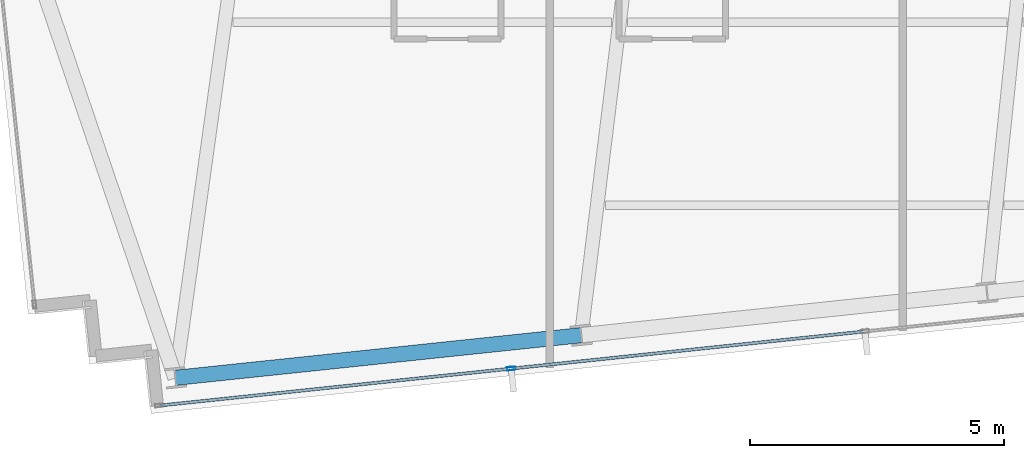
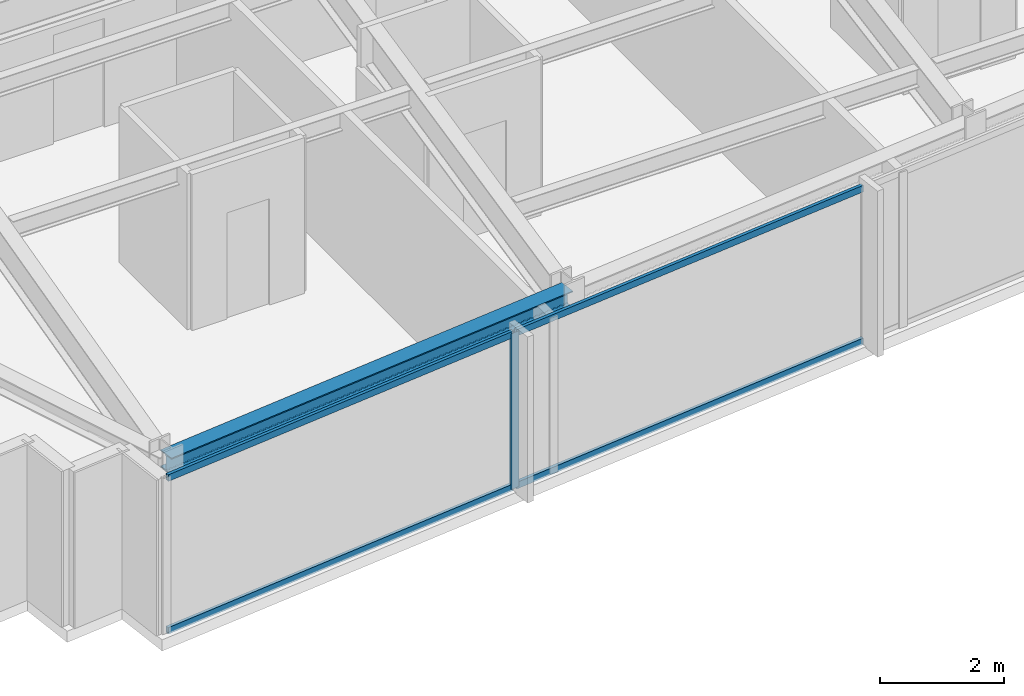
# One storey, part 3 of 33: 5 members, 1 beam, 1 element without a shape of its own.
"""IFC4 building model written with IfcOpenShell, lengths in metres."""

import ifcopenshell
import ifcopenshell.guid

model = None  # the IFC model being written
_history = None  # IfcOwnerHistory: only IFC2X3 demands one
_inside = {}  # id of a spatial element -> (the spatial element, [elements in it])
_under = {}  # id of a project, library or spatial element -> (it, [spatial elements below it])
_declared = {}  # id of a project -> (the project, [libraries it declares])
_typed = {}  # id of a type object -> (the type object, [elements of that type])
_made_of = {}  # id of a material, layer set ... -> (it, [elements and type objects made of it])


def new_model(schema):
    """Start an empty IFC model of exactly this schema.

    Asked for "IFC4X3", IfcOpenShell would pick the latest addendum, in which some entities
    have other attributes; the version numbers below select the first issue.
    IFC2X3 requires an IfcOwnerHistory on every rooted entity: one is made here for all.
    """
    global model, _history
    if schema == "IFC4X3":
        model = ifcopenshell.file(schema_version=(4, 3, 0, 0))
    else:
        model = ifcopenshell.file(schema=schema)
    _inside.clear()
    _under.clear()
    _declared.clear()
    _typed.clear()
    _made_of.clear()
    _history = None
    if model.schema == "IFC2X3":
        org = make("IfcOrganization", Name="unknown")
        user = make(
            "IfcPersonAndOrganization",
            ThePerson=make("IfcPerson", FamilyName="unknown"),
            TheOrganization=org,
        )
        app = make(
            "IfcApplication",
            ApplicationDeveloper=org,
            Version="unknown",
            ApplicationFullName="unknown",
            ApplicationIdentifier="unknown",
        )
        _history = make(
            "IfcOwnerHistory",
            OwningUser=user,
            OwningApplication=app,
            ChangeAction="ADDED",
            CreationDate=0,
        )
    return model


def make(cls, **values):
    """One entity of the class cls with the attributes given. An attribute that is None is left unset."""
    return model.create_entity(
        cls, **{name: value for name, value in values.items() if value is not None}
    )


def rooted(cls, **values):
    """An entity with a GlobalId (a new one), such as an element, a storey or a relation."""
    return make(cls, GlobalId=ifcopenshell.guid.new(), OwnerHistory=_history, **values)


def si_unit(unit_type, name, prefix=None):
    """IfcSIUnit, for example si_unit("LENGTHUNIT", "METRE", prefix="MILLI")."""
    return make("IfcSIUnit", UnitType=unit_type, Prefix=prefix, Name=name)


def assignment(units):
    """IfcUnitAssignment: the units of a project."""
    return None if units is None else make("IfcUnitAssignment", Units=units)


def point(xyz):
    """IfcCartesianPoint."""
    return None if xyz is None else make("IfcCartesianPoint", Coordinates=xyz)


def direction(xyz):
    """IfcDirection."""
    return None if xyz is None else make("IfcDirection", DirectionRatios=xyz)


def frame(location, z_axis=None, x_axis=None):
    """IfcAxis2Placement3D, a coordinate frame: its origin and axes. An axis left out is left unset."""
    return make(
        "IfcAxis2Placement3D",
        Location=point(location),
        Axis=direction(z_axis),
        RefDirection=direction(x_axis),
    )


def frame_2d(location, x_axis=None):
    """IfcAxis2Placement2D, a coordinate frame in the plane: its origin and x axis."""
    return make(
        "IfcAxis2Placement2D", Location=point(location), RefDirection=direction(x_axis)
    )


def origin():
    """The frame at (0, 0, 0) with its axes left unset."""
    return frame((0.0, 0.0, 0.0))


def origin_2d():
    """The frame at (0, 0) in the plane with its x axis left unset."""
    return frame_2d((0.0, 0.0))


def place(relative_to, where):
    """IfcLocalPlacement: puts the frame where relative to a parent placement (None: the world)."""
    return make(
        "IfcLocalPlacement", PlacementRelTo=relative_to, RelativePlacement=where
    )


def context(
    kind, dimensions, precision=None, world=None, true_north=None, identifier=None
):
    """IfcGeometricRepresentationContext, for example the 3D "Model" context."""
    return make(
        "IfcGeometricRepresentationContext",
        ContextIdentifier=identifier,
        ContextType=kind,
        CoordinateSpaceDimension=dimensions,
        Precision=precision,
        WorldCoordinateSystem=world,
        TrueNorth=true_north,
    )


def subcontext(parent, identifier, kind, view, scale=None):
    """IfcGeometricRepresentationSubContext, for example "Body" below "Model"."""
    return make(
        "IfcGeometricRepresentationSubContext",
        ContextIdentifier=identifier,
        ContextType=kind,
        ParentContext=parent,
        TargetScale=scale,
        TargetView=view,
    )


def project(units=None, contexts=None):
    """IfcProject with its units and contexts."""
    return rooted(
        "IfcProject",
        Name="project",
        RepresentationContexts=contexts,
        UnitsInContext=assignment(units),
    )


def spatial(cls, under=None, at=None, **own):
    """A site, building, storey or space (cls), placed at a placement, below another one or the project."""
    s = rooted(cls, ObjectPlacement=at, **own)
    if under is not None:
        _under.setdefault(under.id(), (under, []))[1].append(s)
    return s


def profile(cls, at=None, kind="AREA", **sizes):
    """A parametric profile (cls). Its sizes go by their IFC names, for example OverallWidth=200.0."""
    return make(cls, ProfileType=kind, Position=at, **sizes)


def hollow_rectangle(**sizes):
    """IfcRectangleHollowProfileDef."""
    return profile("IfcRectangleHollowProfileDef", **sizes)


def i_section(**sizes):
    """IfcIShapeProfileDef."""
    return profile("IfcIShapeProfileDef", **sizes)


def extrude(swept, where, along, depth):
    """IfcExtrudedAreaSolid: the profile swept, set in the frame where, extruded along a direction by depth."""
    return make(
        "IfcExtrudedAreaSolid",
        SweptArea=swept,
        Position=where,
        ExtrudedDirection=direction(along),
        Depth=depth,
    )


def shape(context_of_items, identifier, shape_type, items):
    """IfcShapeRepresentation: the items that make up one representation, for example the "Body"."""
    return make(
        "IfcShapeRepresentation",
        ContextOfItems=context_of_items,
        RepresentationIdentifier=identifier,
        RepresentationType=shape_type,
        Items=items,
    )


def material(Name=None, Category=None):
    """IfcMaterial."""
    return make("IfcMaterial", Name=Name, Category=Category)


def material_profile(
    of_material, cross_section, Name=None, Category=None, Priority=None
):
    """IfcMaterialProfile: a cross section and its material."""
    return make(
        "IfcMaterialProfile",
        Name=Name,
        Material=of_material,
        Profile=cross_section,
        Priority=Priority,
        Category=Category,
    )


def profile_set(profiles, Name=None, composite=None):
    """IfcMaterialProfileSet."""
    return make(
        "IfcMaterialProfileSet",
        Name=Name,
        MaterialProfiles=profiles,
        CompositeProfile=composite,
    )


def made_of(thing, what):
    """Note that an element or type object is made of a material, layer set ...; save() writes the relation."""
    if what is not None:
        _made_of.setdefault(what.id(), (what, []))[1].append(thing)
    return thing


def type_object(cls, material=None, **own):
    """A type object (cls), such as IfcWallType, which elements share."""
    return made_of(rooted(cls, **own), material)


def element(
    cls,
    number,
    at=None,
    inside=None,
    cuts=None,
    type_object=None,
    material=None,
    context=None,
    identifier="Body",
    shape_type=None,
    held_by="IfcProductDefinitionShape",
    body=None,
    shapes=None,
    **own,
):
    """One element of the class cls, such as IfcWall. Its Tag is "e" and its number.

    at: its placement. inside: the storey or other place that contains it. cuts: it is an
    opening in that element (IfcRelVoidsElement). A single representation is given by context,
    identifier, shape_type and body (its items); several are given by shapes. held_by: the class
    of the entity that holds the representations. save() writes the other relations.
    """
    e = rooted(cls, Tag="e%d" % number, ObjectPlacement=at, **own)
    if body is not None:
        shapes = [shape(context, identifier, shape_type, body)]
    if shapes is not None:
        e.Representation = make(held_by, Representations=shapes)
    if inside is not None:
        _inside.setdefault(inside.id(), (inside, []))[1].append(e)
    if cuts is not None:
        rooted(
            "IfcRelVoidsElement", RelatingBuildingElement=cuts, RelatedOpeningElement=e
        )
    if type_object is not None:
        _typed.setdefault(type_object.id(), (type_object, []))[1].append(e)
    return made_of(e, material)


def aggregate(whole, parts):
    """IfcRelAggregates: a whole, such as a stair, and the parts it consists of."""
    return rooted("IfcRelAggregates", RelatingObject=whole, RelatedObjects=parts)


def save(model, path):
    """Write the relations noted so far, then the file.

    IfcRelAggregates (storeys below a building ...), IfcRelContainedInSpatialStructure (elements
    in a storey), IfcRelDefinesByType, IfcRelAssociatesMaterial and IfcRelDeclares: one each for
    every whole, place, type object, material and project.
    """
    for whole, parts in _under.values():
        aggregate(whole, parts)
    for where, things in _inside.values():
        rooted(
            "IfcRelContainedInSpatialStructure",
            RelatedElements=things,
            RelatingStructure=where,
        )
    for kind, things in _typed.values():
        rooted("IfcRelDefinesByType", RelatedObjects=things, RelatingType=kind)
    for what, things in _made_of.values():
        rooted("IfcRelAssociatesMaterial", RelatedObjects=things, RelatingMaterial=what)
    for by, libraries in _declared.values():
        rooted("IfcRelDeclares", RelatingContext=by, RelatedDefinitions=libraries)
    model.write(path)


model = new_model("IFC4")

# Units and contexts
model_context = context("Model", 3, precision=1e-05, world=origin(), true_north=direction((0.0, 1.0)))
body_context = subcontext(model_context, "Body", "Model", "MODEL_VIEW")
ifc_project = project(units=[si_unit("LENGTHUNIT", "METRE"), si_unit("AREAUNIT", "SQUARE_METRE"), si_unit("VOLUMEUNIT", "CUBIC_METRE"), si_unit("PLANEANGLEUNIT", "RADIAN"), si_unit("MASSUNIT", "GRAM", prefix="KILO")], contexts=[model_context])

# Site, building, storey
site_placement = place(None, origin())
site = spatial("IfcSite", under=ifc_project, at=site_placement, CompositionType="ELEMENT")
building_placement = place(site_placement, origin())
building = spatial("IfcBuilding", under=site, at=building_placement, Name="Yelkora Congress Tower", CompositionType="ELEMENT")
storey_placement = place(building_placement, frame((0.0, 0.0, 240.800048828125)))
storey = spatial("IfcBuildingStorey", under=building, at=storey_placement, Name="L67", CompositionType="ELEMENT", Elevation=240.800048828125)

# Beam
ifc_material_1 = material(Name="Steel S355J2", Category="steel")
ifc_material_profile_1 = material_profile(ifc_material_1, i_section(OverallWidth=0.300048828125, OverallDepth=0.340087890625, WebThickness=0.011962890625, FlangeThickness=0.021484375, FilletRadius=0.027099609375, at=origin_2d()), Name="HEB 340")
ifc_profile_set_1 = profile_set([ifc_material_profile_1], Name="Steel S355J2")
beam_type = type_object("IfcBeamType", Name="BM-SPAN-HEB340", PredefinedType="SPANDREL", material=ifc_profile_set_1)
beam_placement = place(storey_placement, frame((21.299072265625, 12.678466796875, 2.909912109375), z_axis=(0.994520097542, 0.104545567032, 0.0), x_axis=(-0.104545567032, 0.994520097542, 0.0)))
element("IfcBeam", 1, at=beam_placement, inside=storey, type_object=beam_type, Name="L67 Perimeter Beam 3", PredefinedType="SPANDREL", context=body_context, shape_type="SweptSolid", body=[
    extrude(i_section(OverallWidth=0.300048828125, OverallDepth=0.340087890625, WebThickness=0.011962890625, FlangeThickness=0.021484375, FilletRadius=0.027099609375, at=origin_2d()), origin(), (0.0, 0.0, 1.0), 8.033203125),
])

# Curtain wall, members
ifc_material_2 = material(Name="Anodised aluminium and insulated glass", Category="aluminium")
curtain_wall_type = type_object("IfcCurtainWallType", Name="CW-SYS-B4", PredefinedType="NOTDEFINED", material=ifc_material_2)
curtain_wall_placement = place(storey_placement, origin())
curtain_wall = element("IfcCurtainWall", 2, at=curtain_wall_placement, inside=storey, type_object=curtain_wall_type, Name="L67 Unitised Curtain Wall 20", PredefinedType="NOTDEFINED")
ifc_material_3 = material(Name="Anodised aluminium 6063-T6", Category="aluminium")
ifc_material_profile_2 = material_profile(ifc_material_3, hollow_rectangle(XDim=0.06494140625, YDim=0.159912109375, WallThickness=0.00390625, at=origin_2d()), Name="ALU 65x160x4")
ifc_profile_set_2 = profile_set([ifc_material_profile_2], Name="Anodised aluminium 6063-T6")
member_type_1 = type_object("IfcMemberType", Name="MEM-ML-B4", PredefinedType="MULLION", material=ifc_profile_set_2)
member_1_placement = place(storey_placement, frame((27.9091796875, 12.860595703125, 0.0), z_axis=(0.0, 0.0, 1.0), x_axis=(0.104526664994, -0.994522084373, 0.0)))
member_1 = element("IfcMember", 3, at=member_1_placement, type_object=member_type_1, Name="CW-B4 mullion 7", PredefinedType="MULLION", context=body_context, shape_type="SweptSolid", body=[
    extrude(hollow_rectangle(XDim=0.06494140625, YDim=0.159912109375, WallThickness=0.00390625, at=origin_2d()), origin(), (0.0, 0.0, 1.0), 3.079833984375),
])
ifc_material_profile_3 = material_profile(ifc_material_3, hollow_rectangle(XDim=0.06005859375, YDim=0.1298828125, WallThickness=0.00390625, at=origin_2d()), Name="ALU 60x130x4")
ifc_profile_set_3 = profile_set([ifc_material_profile_3], Name="Anodised aluminium 6063-T6")
member_type_2 = type_object("IfcMemberType", Name="MEM-TR-B4", PredefinedType="USERDEFINED", material=ifc_profile_set_3)
member_2_placement = place(storey_placement, frame((34.84130859375, 13.589111328125, 0.030029296875), z_axis=(-0.994519904787, -0.104547400648, 0.0), x_axis=(0.104547400648, -0.994519904787, 0.0)))
member_2 = element("IfcMember", 4, at=member_2_placement, type_object=member_type_2, Name="CW-B4 transom 6.1", ObjectType="TRANSOM", PredefinedType="USERDEFINED", context=body_context, shape_type="SweptSolid", body=[
    extrude(hollow_rectangle(XDim=0.06005859375, YDim=0.1298828125, WallThickness=0.00390625, at=origin_2d()), origin(), (0.0, 0.0, 1.0), 6.93798828125),
])
member_3_placement = place(storey_placement, frame((34.84130859375, 13.589111328125, 3.050048828125), z_axis=(-0.994519904787, -0.104547400648, 0.0), x_axis=(0.104547400648, -0.994519904787, 0.0)))
member_3 = element("IfcMember", 5, at=member_3_placement, type_object=member_type_2, Name="CW-B4 transom 6.2", ObjectType="TRANSOM", PredefinedType="USERDEFINED", context=body_context, shape_type="SweptSolid", body=[
    extrude(hollow_rectangle(XDim=0.06005859375, YDim=0.1298828125, WallThickness=0.00390625, at=origin_2d()), origin(), (0.0, 0.0, 1.0), 6.93798828125),
])
member_4_placement = place(storey_placement, frame((27.876708984375, 12.857177734375, 0.030029296875), z_axis=(-0.994519973075, -0.104546751053, 0.0), x_axis=(0.104546751053, -0.994519973075, 0.0)))
member_4 = element("IfcMember", 6, at=member_4_placement, type_object=member_type_2, Name="CW-B4 transom 7.1", ObjectType="TRANSOM", PredefinedType="USERDEFINED", context=body_context, shape_type="SweptSolid", body=[
    extrude(hollow_rectangle(XDim=0.06005859375, YDim=0.1298828125, WallThickness=0.00390625, at=origin_2d()), origin(), (0.0, 0.0, 1.0), 6.9052734375),
])
member_5_placement = place(storey_placement, frame((27.876708984375, 12.857177734375, 3.050048828125), z_axis=(-0.994519973075, -0.104546751053, 0.0), x_axis=(0.104546751053, -0.994519973075, 0.0)))
member_5 = element("IfcMember", 7, at=member_5_placement, type_object=member_type_2, Name="CW-B4 transom 7.2", ObjectType="TRANSOM", PredefinedType="USERDEFINED", context=body_context, shape_type="SweptSolid", body=[
    extrude(hollow_rectangle(XDim=0.06005859375, YDim=0.1298828125, WallThickness=0.00390625, at=origin_2d()), origin(), (0.0, 0.0, 1.0), 6.9052734375),
])
aggregate(curtain_wall, [member_1, member_2, member_3, member_4, member_5])

save(model, "model.ifc")
